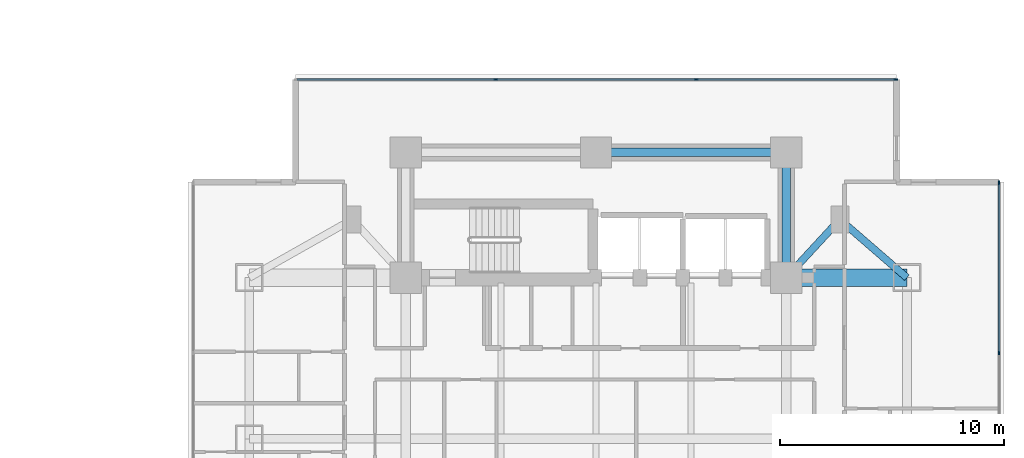
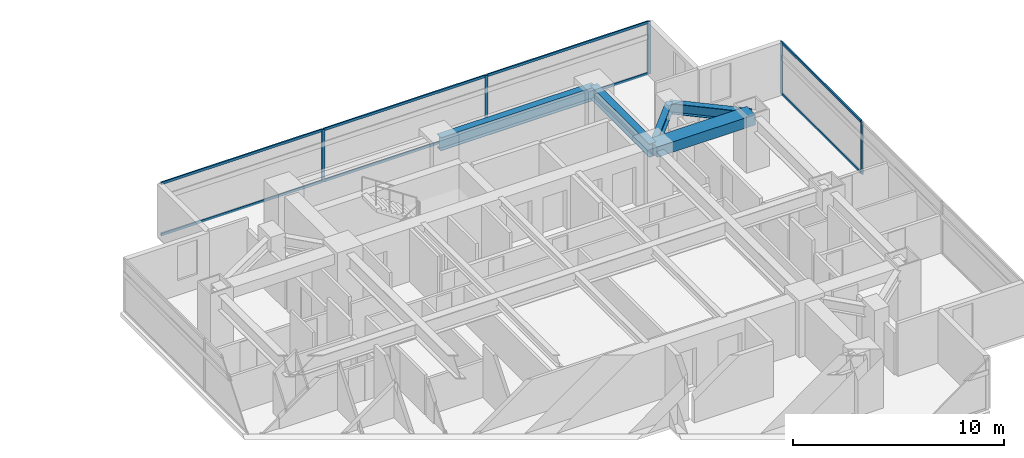
# One storey, part 10 of 26: 13 members, 5 beams, 2 elements without a shape of their own.
"""IFC4 building model written with IfcOpenShell, lengths in metres."""

from ifc_helpers import new_model, si_unit, direction, frame, origin, origin_2d, place, context, subcontext, project, spatial, rectangle, i_section, extrude, material, material_profile, profile_set, type_object, element, aggregate, save


model = new_model("IFC4")

# Units and contexts
model_context = context("Model", 3, precision=1e-05, world=origin(), true_north=direction((0.0, 1.0)))
body_context = subcontext(model_context, "Body", "Model", "MODEL_VIEW")
ifc_project = project(units=[si_unit("LENGTHUNIT", "METRE"), si_unit("AREAUNIT", "SQUARE_METRE"), si_unit("VOLUMEUNIT", "CUBIC_METRE"), si_unit("PLANEANGLEUNIT", "RADIAN"), si_unit("MASSUNIT", "GRAM", prefix="KILO")], contexts=[model_context])

# Site, building, storey
site_placement = place(None, origin())
site = spatial("IfcSite", under=ifc_project, at=site_placement, CompositionType="ELEMENT")
building_placement = place(site_placement, origin())
building = spatial("IfcBuilding", under=site, at=building_placement, Name="Mirazonda Arch Towers", CompositionType="ELEMENT")
storey_placement = place(building_placement, frame((0.0, 0.0, 25.699951171875)))
storey = spatial("IfcBuildingStorey", under=building, at=storey_placement, Name="L06", CompositionType="ELEMENT", Elevation=25.699951171875)

# Beams
ifc_material_1 = material(Name="Steel ASTM A992 Grade 50", Category="steel")
ifc_material_profile_1 = material_profile(ifc_material_1, i_section(OverallWidth=0.324951171875, OverallDepth=0.615966796875, WebThickness=0.013916015625, FlangeThickness=0.021484375, at=origin_2d()), Name="W24X117")
ifc_profile_set_1 = profile_set([ifc_material_profile_1], Name="Steel ASTM A992 Grade 50")
beam_type_1 = type_object("IfcBeamType", Name="BM-INT-W24X117", PredefinedType="BEAM", material=ifc_profile_set_1)
beam_1_placement = place(storey_placement, frame((87.39990234375, 37.800048828125, 2.751953125), z_axis=(-0.678251444854, -0.734829897019, 0.0), x_axis=(0.734829897019, -0.678251444854, 0.0)))
element("IfcBeam", 1, at=beam_1_placement, inside=storey, type_object=beam_type_1, Name="L06 Floor Beam BM-T2-L06-PL-NE1", PredefinedType="BEAM", context=body_context, shape_type="SweptSolid", body=[
    extrude(i_section(OverallWidth=0.324951171875, OverallDepth=0.615966796875, WebThickness=0.013916015625, FlangeThickness=0.021484375, at=origin_2d()), origin(), (0.0, 0.0, 1.0), 3.538330078125),
])
beam_2_placement = place(storey_placement, frame((87.39990234375, 37.800048828125, 2.751953125), z_axis=(0.755676908098, -0.654944585876, 0.0), x_axis=(0.654944585876, 0.755676908098, 0.0)))
element("IfcBeam", 2, at=beam_2_placement, inside=storey, type_object=beam_type_1, Name="L06 Floor Beam BM-T2-L06-PL-NE2", PredefinedType="BEAM", context=body_context, shape_type="SweptSolid", body=[
    extrude(i_section(OverallWidth=0.324951171875, OverallDepth=0.615966796875, WebThickness=0.013916015625, FlangeThickness=0.021484375, at=origin_2d()), origin(), (0.0, 0.0, 1.0), 3.969970703125),
])
ifc_material_profile_2 = material_profile(ifc_material_1, i_section(OverallWidth=0.381103515625, OverallDepth=0.77294921875, WebThickness=0.0166015625, FlangeThickness=0.027099609375, at=origin_2d()), Name="W30X173")
ifc_profile_set_2 = profile_set([ifc_material_profile_2], Name="Steel ASTM A992 Grade 50")
beam_type_2 = type_object("IfcBeamType", Name="BM-INT-W30X173", PredefinedType="USERDEFINED", material=ifc_profile_set_2)
beam_3_placement = place(storey_placement, frame((76.5, 40.800048828125, 2.673583984375), z_axis=(1.0, 0.0, 0.0), x_axis=(0.0, 1.0, 0.0)))
element("IfcBeam", 3, at=beam_3_placement, inside=storey, type_object=beam_type_2, Name="L06 Floor Beam BM-T2-L06-CN2", ObjectType="GIRDER", PredefinedType="USERDEFINED", context=body_context, shape_type="SweptSolid", body=[
    extrude(i_section(OverallWidth=0.381103515625, OverallDepth=0.77294921875, WebThickness=0.0166015625, FlangeThickness=0.027099609375, at=origin_2d()), origin(), (0.0, 0.0, 1.0), 8.5),
])
beam_4_placement = place(storey_placement, frame((85.0, 35.199951171875, 2.673583984375), z_axis=(0.0, 1.0, 0.0), x_axis=(-1.0, 0.0, 0.0)))
element("IfcBeam", 4, at=beam_4_placement, inside=storey, type_object=beam_type_2, Name="L06 Floor Beam BM-T2-L06-CNE", ObjectType="GIRDER", PredefinedType="USERDEFINED", context=body_context, shape_type="SweptSolid", body=[
    extrude(i_section(OverallWidth=0.381103515625, OverallDepth=0.77294921875, WebThickness=0.0166015625, FlangeThickness=0.027099609375, at=origin_2d()), origin(), (0.0, 0.0, 1.0), 5.60009765625),
])
ifc_material_2 = material(Name="Concrete C60/75", Category="concrete")
ifc_material_profile_3 = material_profile(ifc_material_2, rectangle(XDim=0.800048828125, YDim=0.60009765625, at=origin_2d()), Name="RCCB800x600")
ifc_profile_set_3 = profile_set([ifc_material_profile_3], Name="Concrete C60/75")
beam_type_3 = type_object("IfcBeamType", Name="CB-INT-RCCB800x600", PredefinedType="SPANDREL", material=ifc_profile_set_3)
beam_5_placement = place(storey_placement, frame((85.0, 35.199951171875, 2.760009765625), z_axis=(1.0, 0.0, 0.0), x_axis=(0.0, 1.0, 0.0)))
element("IfcBeam", 5, at=beam_5_placement, inside=storey, type_object=beam_type_3, Name="L06 Floor Beam CBC-T2-L06-NE", PredefinedType="SPANDREL", context=body_context, shape_type="SweptSolid", body=[
    extrude(rectangle(XDim=0.800048828125, YDim=0.60009765625, at=origin_2d()), origin(), (0.0, 0.0, 1.0), 5.39990234375),
])

# Curtain wall, members
ifc_material_3 = material(Name="Anodised Aluminium and Low-E Glass", Category="aluminium")
curtain_wall_type = type_object("IfcCurtainWallType", Name="CW-HTL-UNIT", PredefinedType="NOTDEFINED", material=ifc_material_3)
curtain_wall_1_placement = place(storey_placement, origin())
curtain_wall_1 = element("IfcCurtainWall", 6, at=curtain_wall_1_placement, inside=storey, type_object=curtain_wall_type, Name="L06 T2 E Facade CW-L06-T2-E", PredefinedType="NOTDEFINED")
ifc_material_4 = material(Name="Anodised Aluminium Alloy", Category="aluminium")
ifc_material_profile_4 = material_profile(ifc_material_4, rectangle(XDim=0.074951171875, YDim=0.1650390625, at=origin_2d()), Name="ALU-MULL-75x165")
ifc_profile_set_4 = profile_set([ifc_material_profile_4], Name="Anodised Aluminium Alloy")
member_type_1 = type_object("IfcMemberType", Name="MULL-CW-HTL-UNIT", PredefinedType="MULLION", material=ifc_profile_set_4)
member_1_placement = place(storey_placement, frame((94.51806640625, 31.827880859375, 0.0), z_axis=(0.0, 0.0, 1.0), x_axis=(-1.0, 0.0, 0.0)))
member_1 = element("IfcMember", 7, at=member_1_placement, type_object=member_type_1, Name="CW-112 mullion 3", PredefinedType="MULLION", context=body_context, shape_type="SweptSolid", body=[
    extrude(rectangle(XDim=0.074951171875, YDim=0.1650390625, at=origin_2d()), origin(), (0.0, 0.0, 1.0), 3.0400390625),
])
member_2_placement = place(storey_placement, frame((94.51806640625, 39.44580078125, 0.0), z_axis=(0.0, 0.0, 1.0), x_axis=(-1.0, 0.0, 0.0)))
member_2 = element("IfcMember", 8, at=member_2_placement, type_object=member_type_1, Name="CW-112 mullion 4", PredefinedType="MULLION", context=body_context, shape_type="SweptSolid", body=[
    extrude(rectangle(XDim=0.074951171875, YDim=0.1650390625, at=origin_2d()), origin(), (0.0, 0.0, 1.0), 3.0400390625),
])

curtain_wall_2_placement = place(storey_placement, origin())
curtain_wall_2 = element("IfcCurtainWall", 9, at=curtain_wall_2_placement, inside=storey, type_object=curtain_wall_type, Name="L06 T2 N Facade CW-L06-T2-N", PredefinedType="NOTDEFINED")
member_3_placement = place(storey_placement, frame((72.020751953125, 44.063232421875, 0.0), z_axis=(0.0, 0.0, 1.0), x_axis=(0.0, 1.0, 0.0)))
member_3 = element("IfcMember", 10, at=member_3_placement, type_object=member_type_1, Name="CW-112 mullion 2", PredefinedType="MULLION", context=body_context, shape_type="SweptSolid", body=[
    extrude(rectangle(XDim=0.074951171875, YDim=0.1650390625, at=origin_2d()), origin(), (0.0, 0.0, 1.0), 3.0400390625),
])
member_4_placement = place(storey_placement, frame((80.979248046875, 44.063232421875, 0.0), z_axis=(0.0, 0.0, 1.0), x_axis=(0.0, 1.0, 0.0)))
member_4 = element("IfcMember", 11, at=member_4_placement, type_object=member_type_1, Name="CW-112 mullion 3", PredefinedType="MULLION", context=body_context, shape_type="SweptSolid", body=[
    extrude(rectangle(XDim=0.074951171875, YDim=0.1650390625, at=origin_2d()), origin(), (0.0, 0.0, 1.0), 3.0400390625),
])
member_5_placement = place(storey_placement, frame((89.900390625, 44.063232421875, 0.0), z_axis=(0.0, 0.0, 1.0), x_axis=(0.0, 1.0, 0.0)))
member_5 = element("IfcMember", 12, at=member_5_placement, type_object=member_type_1, Name="CW-112 mullion 4", PredefinedType="MULLION", context=body_context, shape_type="SweptSolid", body=[
    extrude(rectangle(XDim=0.074951171875, YDim=0.1650390625, at=origin_2d()), origin(), (0.0, 0.0, 1.0), 3.0400390625),
])

# Member
ifc_material_profile_5 = material_profile(ifc_material_4, rectangle(XDim=0.074951171875, YDim=0.14501953125, at=origin_2d()), Name="ALU-TRAN-75x145")
ifc_profile_set_5 = profile_set([ifc_material_profile_5], Name="Anodised Aluminium Alloy")
member_type_2 = type_object("IfcMemberType", Name="TRAN-CW-HTL-UNIT", PredefinedType="USERDEFINED", material=ifc_profile_set_5)
member_6_placement = place(storey_placement, frame((94.51806640625, 31.865234375, 0.03759765625), z_axis=(0.0, 1.0, 0.0), x_axis=(-1.0, 0.0, 0.0)))
member_6 = element("IfcMember", 13, at=member_6_placement, type_object=member_type_2, Name="CW-112 transom 3.1", ObjectType="TRANSOM", PredefinedType="USERDEFINED", context=body_context, shape_type="SweptSolid", body=[
    extrude(rectangle(XDim=0.074951171875, YDim=0.14501953125, at=origin_2d()), origin(), (0.0, 0.0, 1.0), 7.54296875),
])

member_7_placement = place(storey_placement, frame((94.51806640625, 31.865234375, 3.00244140625), z_axis=(0.0, 1.0, 0.0), x_axis=(-1.0, 0.0, 0.0)))
member_7 = element("IfcMember", 14, at=member_7_placement, type_object=member_type_2, Name="CW-112 transom 3.2", ObjectType="TRANSOM", PredefinedType="USERDEFINED", context=body_context, shape_type="SweptSolid", body=[
    extrude(rectangle(XDim=0.074951171875, YDim=0.14501953125, at=origin_2d()), origin(), (0.0, 0.0, 1.0), 7.54296875),
])

aggregate(curtain_wall_1, [member_1, member_2, member_6, member_7])

member_8_placement = place(storey_placement, frame((63.136962890625, 44.063232421875, 0.03759765625), z_axis=(1.0, 0.0, 0.0), x_axis=(0.0, 1.0, 0.0)))
member_8 = element("IfcMember", 15, at=member_8_placement, type_object=member_type_2, Name="CW-112 transom 1.1", ObjectType="TRANSOM", PredefinedType="USERDEFINED", context=body_context, shape_type="SweptSolid", body=[
    extrude(rectangle(XDim=0.074951171875, YDim=0.14501953125, at=origin_2d()), origin(), (0.0, 0.0, 1.0), 8.84619140625),
])

member_9_placement = place(storey_placement, frame((63.136962890625, 44.063232421875, 3.00244140625), z_axis=(1.0, 0.0, 0.0), x_axis=(0.0, 1.0, 0.0)))
member_9 = element("IfcMember", 16, at=member_9_placement, type_object=member_type_2, Name="CW-112 transom 1.2", ObjectType="TRANSOM", PredefinedType="USERDEFINED", context=body_context, shape_type="SweptSolid", body=[
    extrude(rectangle(XDim=0.074951171875, YDim=0.14501953125, at=origin_2d()), origin(), (0.0, 0.0, 1.0), 8.84619140625),
])

member_10_placement = place(storey_placement, frame((72.05810546875, 44.063232421875, 0.03759765625), z_axis=(1.0, 0.0, 0.0), x_axis=(0.0, 1.0, 0.0)))
member_10 = element("IfcMember", 17, at=member_10_placement, type_object=member_type_2, Name="CW-112 transom 2.1", ObjectType="TRANSOM", PredefinedType="USERDEFINED", context=body_context, shape_type="SweptSolid", body=[
    extrude(rectangle(XDim=0.074951171875, YDim=0.14501953125, at=origin_2d()), origin(), (0.0, 0.0, 1.0), 8.8837890625),
])

member_11_placement = place(storey_placement, frame((72.05810546875, 44.063232421875, 3.00244140625), z_axis=(1.0, 0.0, 0.0), x_axis=(0.0, 1.0, 0.0)))
member_11 = element("IfcMember", 18, at=member_11_placement, type_object=member_type_2, Name="CW-112 transom 2.2", ObjectType="TRANSOM", PredefinedType="USERDEFINED", context=body_context, shape_type="SweptSolid", body=[
    extrude(rectangle(XDim=0.074951171875, YDim=0.14501953125, at=origin_2d()), origin(), (0.0, 0.0, 1.0), 8.8837890625),
])

member_12_placement = place(storey_placement, frame((81.016845703125, 44.063232421875, 0.03759765625), z_axis=(1.0, 0.0, 0.0), x_axis=(0.0, 1.0, 0.0)))
member_12 = element("IfcMember", 19, at=member_12_placement, type_object=member_type_2, Name="CW-112 transom 3.1", ObjectType="TRANSOM", PredefinedType="USERDEFINED", context=body_context, shape_type="SweptSolid", body=[
    extrude(rectangle(XDim=0.074951171875, YDim=0.14501953125, at=origin_2d()), origin(), (0.0, 0.0, 1.0), 8.84619140625),
])

member_13_placement = place(storey_placement, frame((81.016845703125, 44.063232421875, 3.00244140625), z_axis=(1.0, 0.0, 0.0), x_axis=(0.0, 1.0, 0.0)))
member_13 = element("IfcMember", 20, at=member_13_placement, type_object=member_type_2, Name="CW-112 transom 3.2", ObjectType="TRANSOM", PredefinedType="USERDEFINED", context=body_context, shape_type="SweptSolid", body=[
    extrude(rectangle(XDim=0.074951171875, YDim=0.14501953125, at=origin_2d()), origin(), (0.0, 0.0, 1.0), 8.84619140625),
])

aggregate(curtain_wall_2, [member_3, member_4, member_5, member_8, member_9, member_10, member_11, member_12, member_13])

save(model, "model.ifc")
